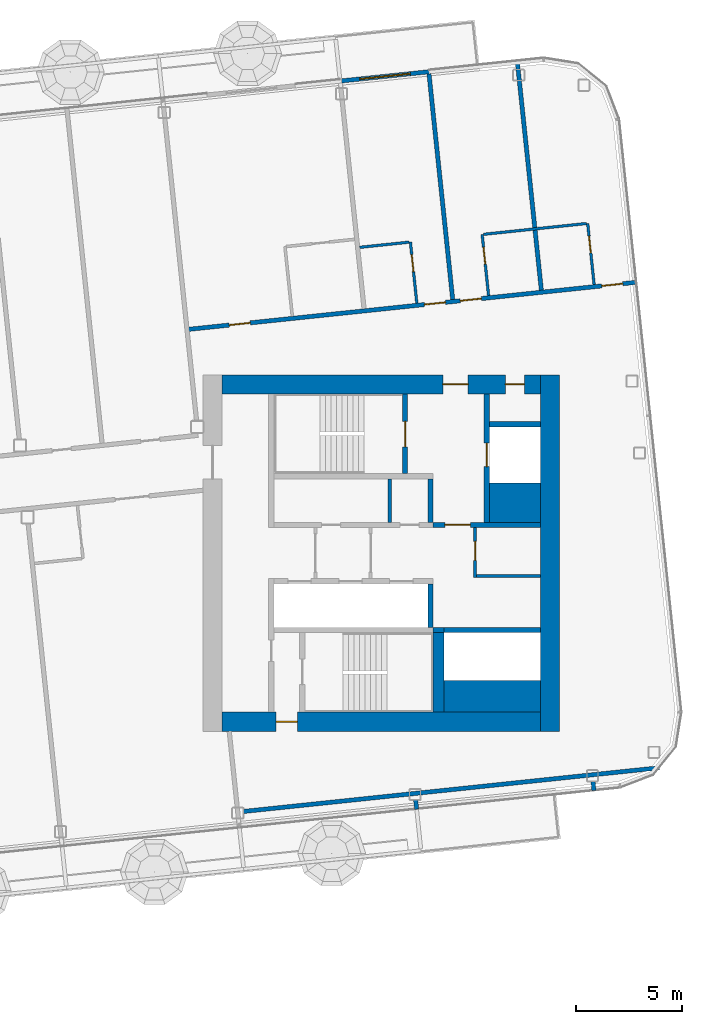
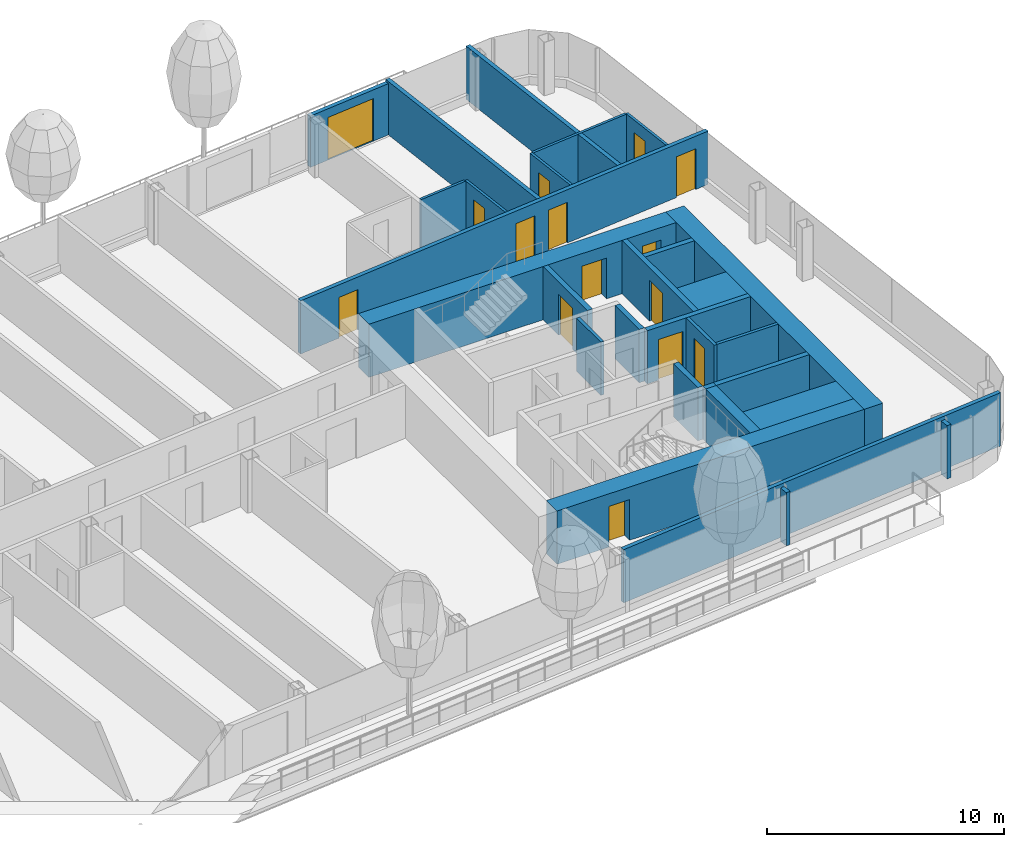
# One storey, part 16 of 29: 29 walls, 15 doors, 15 openings, 1 element without a shape of its own.
"""IFC4 building model written with IfcOpenShell, lengths in metres."""

from ifc_helpers import new_model, si_unit, direction, frame, frame_2d, origin, place, context, subcontext, project, spatial, rectangle, extrude, material, layer, layer_set, type_object, element, fill, aggregate, save


model = new_model("IFC4")

# Units and contexts
model_context = context("Model", 3, precision=1e-05, world=origin(), true_north=direction((0.0, 1.0)))
body_context = subcontext(model_context, "Body", "Model", "MODEL_VIEW")
ifc_project = project(units=[si_unit("LENGTHUNIT", "METRE"), si_unit("AREAUNIT", "SQUARE_METRE"), si_unit("VOLUMEUNIT", "CUBIC_METRE"), si_unit("PLANEANGLEUNIT", "RADIAN"), si_unit("MASSUNIT", "GRAM", prefix="KILO")], contexts=[model_context])

# Site, building, storey
site_placement = place(None, origin())
site = spatial("IfcSite", under=ifc_project, at=site_placement, CompositionType="ELEMENT")
building_placement = place(site_placement, origin())
building = spatial("IfcBuilding", under=site, at=building_placement, Name="Hakoniwa Tower and Hamabe Station Hall", CompositionType="ELEMENT")
storey_placement = place(building_placement, frame((0.0, 0.0, 258.199951171875)))
storey = spatial("IfcBuildingStorey", under=building, at=storey_placement, Name="L73", CompositionType="ELEMENT", Elevation=258.199951171875)

# Walls
ifc_material_1 = material(Name="Gypsum board partition", Category="gypsum")
ifc_layer_1 = layer(ifc_material_1, 0.125)
ifc_layer_set_1 = layer_set([ifc_layer_1], Name="Bathroom Partition 125")
wall_type_1 = type_object("IfcWallType", Name="Bathroom Partition 125", PredefinedType="PARTITIONING", material=ifc_layer_set_1)
wall_1_placement = place(storey_placement, frame((24.18798828125, 14.4052734375, 0.0), z_axis=(0.0, 0.0, 1.0), x_axis=(0.994530605544, 0.104445558238, 0.0)))
element("IfcWall", 1, at=wall_1_placement, inside=storey, type_object=wall_type_1, Name="GW-L73-012", PredefinedType="PARTITIONING", context=body_context, shape_type="SweptSolid", body=[
    extrude(rectangle(XDim=2.33740234375, YDim=0.125, at=frame_2d((1.168701171875, 0.0))), origin(), (0.0, 0.0, 1.0), 2.75),
])
wall_2_placement = place(storey_placement, frame((30.0185546875, 15.01806640625, 0.0), z_axis=(0.0, 0.0, 1.0), x_axis=(0.994522727842, 0.104520542502, 0.0)))
element("IfcWall", 2, at=wall_2_placement, inside=storey, type_object=wall_type_1, Name="GW-L73-013", PredefinedType="PARTITIONING", context=body_context, shape_type="SweptSolid", body=[
    extrude(rectangle(XDim=4.874755859375, YDim=0.125, at=frame_2d((2.4375, 0.0))), origin(), (0.0, 0.0, 1.0), 2.75),
])

# Wall, opening, door
wall_3_placement = place(storey_placement, frame((26.878173828125, 11.77197265625, 0.0), z_axis=(0.0, 0.0, 1.0), x_axis=(-0.104562076147, 0.994518361938, 0.0)))
wall_3 = element("IfcWall", 3, at=wall_3_placement, inside=storey, type_object=wall_type_1, Name="GW-L73-050", PredefinedType="PARTITIONING", context=body_context, shape_type="SweptSolid", body=[
    extrude(rectangle(XDim=2.89990234375, YDim=0.125, at=frame_2d((1.449951171875, 0.0))), origin(), (0.0, 0.0, 1.0), 2.75),
])
opening_1_placement = place(wall_3_placement, frame((1.5, 0.0, 0.0)))
opening_1 = element("IfcOpeningElement", 4, at=opening_1_placement, cuts=wall_3, Name="Opening GD-G5C1-36", PredefinedType="OPENING", context=body_context, shape_type="SweptSolid", body=[
    extrude(rectangle(XDim=0.800048828125, YDim=2.10009765625, at=frame_2d((0.39990234375, 1.050048828125))), frame((0.0, 0.072509765625, 0.0), z_axis=(0.0, -1.0, 0.0), x_axis=(1.0, 0.0, 0.0)), (0.0, 0.0, 1.0), 0.14501953125),
])
ifc_material_2 = material(Name="Timber door leaf", Category="wood")
door_type_1 = type_object("IfcDoorType", Name="Bathroom Door 800", OperationType="SINGLE_SWING_LEFT", PredefinedType="DOOR", material=ifc_material_2)
door_1_placement = place(opening_1_placement, origin())
door_1 = element("IfcDoor", 5, at=door_1_placement, inside=storey, type_object=door_type_1, Name="Door GD-G5C1-36", OperationType="SINGLE_SWING_LEFT", OverallHeight=2.10009765625, OverallWidth=0.800048828125, PredefinedType="DOOR", context=body_context, shape_type="SweptSolid", body=[
    extrude(rectangle(XDim=0.800048828125, YDim=2.10009765625, at=frame_2d((0.39990234375, 1.050048828125))), frame((0.0, 0.02490234375, 0.0), z_axis=(0.0, -1.0, 0.0), x_axis=(1.0, 0.0, 0.0)), (0.0, 0.0, 1.0), 0.050048828125),
])
fill(opening_1, door_1)

wall_4_placement = place(storey_placement, frame((30.259521484375, 12.127197265625, 0.0), z_axis=(0.0, 0.0, 1.0), x_axis=(-0.10455332221, 0.994519282274, 0.0)))
wall_4 = element("IfcWall", 6, at=wall_4_placement, inside=storey, type_object=wall_type_1, Name="GW-L73-052", PredefinedType="PARTITIONING", context=body_context, shape_type="SweptSolid", body=[
    extrude(rectangle(XDim=2.900146484375, YDim=0.125, at=frame_2d((1.4501953125, 0.0))), origin(), (0.0, 0.0, 1.0), 2.75),
])
opening_2_placement = place(wall_4_placement, frame((1.5, 0.0, 0.0)))
opening_2 = element("IfcOpeningElement", 7, at=opening_2_placement, cuts=wall_4, Name="Opening GD-G5C1-37", PredefinedType="OPENING", context=body_context, shape_type="SweptSolid", body=[
    extrude(rectangle(XDim=0.800048828125, YDim=2.10009765625, at=frame_2d((0.39990234375, 1.050048828125))), frame((0.0, 0.072509765625, 0.0), z_axis=(0.0, -1.0, 0.0), x_axis=(1.0, 0.0, 0.0)), (0.0, 0.0, 1.0), 0.14501953125),
])
door_2_placement = place(opening_2_placement, origin())
door_2 = element("IfcDoor", 8, at=door_2_placement, inside=storey, type_object=door_type_1, Name="Door GD-G5C1-37", OperationType="SINGLE_SWING_RIGHT", OverallHeight=2.10009765625, OverallWidth=0.800048828125, PredefinedType="DOOR", context=body_context, shape_type="SweptSolid", body=[
    extrude(rectangle(XDim=0.800048828125, YDim=2.10009765625, at=frame_2d((0.39990234375, 1.050048828125))), frame((0.0, 0.02490234375, 0.0), z_axis=(0.0, -1.0, 0.0), x_axis=(1.0, 0.0, 0.0)), (0.0, 0.0, 1.0), 0.050048828125),
])
fill(opening_2, door_2)

wall_5_placement = place(storey_placement, frame((35.23193359375, 12.64990234375, 0.0), z_axis=(0.0, 0.0, 1.0), x_axis=(-0.104470059912, 0.994528032074, 0.0)))
wall_5 = element("IfcWall", 9, at=wall_5_placement, inside=storey, type_object=wall_type_1, Name="GW-L73-055", PredefinedType="PARTITIONING", context=body_context, shape_type="SweptSolid", body=[
    extrude(rectangle(XDim=2.900146484375, YDim=0.125, at=frame_2d((1.4501953125, 0.0))), origin(), (0.0, 0.0, 1.0), 2.75),
])
opening_3_placement = place(wall_5_placement, frame((1.5, 0.0, 0.0)))
opening_3 = element("IfcOpeningElement", 10, at=opening_3_placement, cuts=wall_5, Name="Opening GD-G5C1-38", PredefinedType="OPENING", context=body_context, shape_type="SweptSolid", body=[
    extrude(rectangle(XDim=0.800048828125, YDim=2.10009765625, at=frame_2d((0.39990234375, 1.050048828125))), frame((0.0, 0.072509765625, 0.0), z_axis=(0.0, -1.0, 0.0), x_axis=(1.0, 0.0, 0.0)), (0.0, 0.0, 1.0), 0.14501953125),
])
door_3_placement = place(opening_3_placement, origin())
door_3 = element("IfcDoor", 11, at=door_3_placement, inside=storey, type_object=door_type_1, Name="Door GD-G5C1-38", OperationType="SINGLE_SWING_LEFT", OverallHeight=2.10009765625, OverallWidth=0.800048828125, PredefinedType="DOOR", context=body_context, shape_type="SweptSolid", body=[
    extrude(rectangle(XDim=0.800048828125, YDim=2.10009765625, at=frame_2d((0.39990234375, 1.050048828125))), frame((0.0, 0.02490234375, 0.0), z_axis=(0.0, -1.0, 0.0), x_axis=(1.0, 0.0, 0.0)), (0.0, 0.0, 1.0), 0.050048828125),
])
fill(opening_3, door_3)

ifc_material_3 = material(Name="Gypsum board partition")
ifc_layer_2 = layer(ifc_material_3, 0.14990234375)
ifc_layer_set_2 = layer_set([ifc_layer_2], Name="CORE PARTITION 150 EI 60")
wall_type_2 = type_object("IfcWallType", Name="CORE PARTITION 150 EI 60", PredefinedType="PARTITIONING", material=ifc_layer_set_2)
wall_6_placement = place(storey_placement, frame((29.625, -1.14990234375, 0.0), z_axis=(0.0, 0.0, 1.0), x_axis=(0.0, 1.0, 0.0)))
wall_6 = element("IfcWall", 12, at=wall_6_placement, inside=storey, type_object=wall_type_2, Name="Core partition PW0 east", PredefinedType="PARTITIONING", context=body_context, shape_type="SweptSolid", body=[
    extrude(rectangle(XDim=2.349853515625, YDim=0.14990234375, at=frame_2d((1.1748046875, 0.0))), origin(), (0.0, 0.0, 1.0), 2.75),
])
opening_4_placement = place(wall_6_placement, frame((0.800048828125, 0.0, 0.0)))
opening_4 = element("IfcOpeningElement", 13, at=opening_4_placement, cuts=wall_6, Name="Opening CD-E-RM1-9", PredefinedType="OPENING", context=body_context, shape_type="SweptSolid", body=[
    extrude(rectangle(XDim=0.89990234375, YDim=2.10009765625, at=frame_2d((0.449951171875, 1.050048828125))), frame((0.0, 0.0849609375, 0.0), z_axis=(0.0, -1.0, 0.0), x_axis=(1.0, 0.0, 0.0)), (0.0, 0.0, 1.0), 0.169921875),
])
ifc_material_4 = material(Name="Steel fire door", Category="steel")
door_type_2 = type_object("IfcDoorType", Name="CORE DOOR 900 FD30", OperationType="NOTDEFINED", PredefinedType="DOOR", material=ifc_material_4)
door_4_placement = place(opening_4_placement, origin())
door_4 = element("IfcDoor", 14, at=door_4_placement, inside=storey, type_object=door_type_2, Name="Store room door", OperationType="SINGLE_SWING_LEFT", OverallHeight=2.10009765625, OverallWidth=0.89990234375, PredefinedType="DOOR", context=body_context, shape_type="SweptSolid", body=[
    extrude(rectangle(XDim=0.89990234375, YDim=2.10009765625, at=frame_2d((0.449951171875, 1.050048828125))), frame((0.0, 0.02490234375, 0.0), z_axis=(0.0, -1.0, 0.0), x_axis=(1.0, 0.0, 0.0)), (0.0, 0.0, 1.0), 0.050048828125),
])
fill(opening_4, door_4)

# Walls
wall_7_placement = place(storey_placement, frame((29.699951171875, -1.074951171875, 0.0), z_axis=(0.0, 0.0, 1.0), x_axis=(1.0, 0.0, 0.0)))
element("IfcWall", 15, at=wall_7_placement, inside=storey, type_object=wall_type_2, Name="Core partition PS east", PredefinedType="PARTITIONING", context=body_context, shape_type="SweptSolid", body=[
    extrude(rectangle(XDim=3.0, YDim=0.14990234375, at=frame_2d((1.5, 0.0))), origin(), (0.0, 0.0, 1.0), 2.75),
])
wall_8_placement = place(storey_placement, frame((25.60009765625, 1.449951171875, 0.0), z_axis=(0.0, 0.0, 1.0), x_axis=(0.0, 1.0, 0.0)))
element("IfcWall", 16, at=wall_8_placement, inside=storey, type_object=wall_type_2, Name="Core partition PFLR0 east", PredefinedType="PARTITIONING", context=body_context, shape_type="SweptSolid", body=[
    extrude(rectangle(XDim=2.050048828125, YDim=0.14990234375, at=frame_2d((1.02490234375, 0.0))), origin(), (0.0, 0.0, 1.0), 2.75),
])
ifc_material_5 = material(Name="Concrete C60", Category="concrete")
ifc_layer_3 = layer(ifc_material_5, 0.89990234375)
ifc_layer_set_3 = layer_set([ifc_layer_3], Name="CORE WALL 900 C60")
wall_type_3 = type_object("IfcWallType", Name="CORE WALL 900 C60", PredefinedType="SHEAR", material=ifc_layer_set_3)
wall_9_placement = place(storey_placement, frame((33.14990234375, -8.39990234375, 0.0), z_axis=(0.0, 0.0, 1.0), x_axis=(0.0, 1.0, 0.0)))
element("IfcWall", 17, at=wall_9_placement, inside=storey, type_object=wall_type_3, Name="Core wall OUTER east", PredefinedType="SHEAR", context=body_context, shape_type="SweptSolid", body=[
    extrude(rectangle(XDim=16.7998046875, YDim=0.89990234375, at=frame_2d((8.39990234375, 0.0))), origin(), (0.0, 0.0, 1.0), 2.75),
])

# Wall, openings, doors
wall_10_placement = place(storey_placement, frame((17.699951171875, 7.949951171875, 0.0), z_axis=(0.0, 0.0, 1.0), x_axis=(1.0, 0.0, 0.0)))
wall_10 = element("IfcWall", 18, at=wall_10_placement, inside=storey, type_object=wall_type_3, Name="Core wall NORTH east", PredefinedType="SHEAR", context=body_context, shape_type="SweptSolid", body=[
    extrude(rectangle(XDim=15.0, YDim=0.89990234375, at=frame_2d((7.5, 0.0))), origin(), (0.0, 0.0, 1.0), 2.75),
])
opening_5_placement = place(wall_10_placement, frame((10.39990234375, 0.0, 0.0)))
opening_5 = element("IfcOpeningElement", 19, at=opening_5_placement, cuts=wall_10, Name="Opening CD-E-FN1-12", PredefinedType="OPENING", context=body_context, shape_type="SweptSolid", body=[
    extrude(rectangle(XDim=1.199951171875, YDim=2.10009765625, at=frame_2d((0.60009765625, 1.050048828125))), frame((0.0, 0.4599609375, 0.0), z_axis=(0.0, -1.0, 0.0), x_axis=(1.0, 0.0, 0.0)), (0.0, 0.0, 1.0), 0.919921875),
])
opening_6_placement = place(wall_10_placement, frame((13.35009765625, 0.0, 0.0)))
opening_6 = element("IfcOpeningElement", 20, at=opening_6_placement, cuts=wall_10, Name="Opening CD-E-FN2-9", PredefinedType="OPENING", context=body_context, shape_type="SweptSolid", body=[
    extrude(rectangle(XDim=0.89990234375, YDim=2.10009765625, at=frame_2d((0.449951171875, 1.050048828125))), frame((0.0, 0.4599609375, 0.0), z_axis=(0.0, -1.0, 0.0), x_axis=(1.0, 0.0, 0.0)), (0.0, 0.0, 1.0), 0.919921875),
])
ifc_material_6 = material(Name="Steel fire door", Category="steel")
door_type_3 = type_object("IfcDoorType", Name="CORE DOOR 1200 FD60", OperationType="DOUBLE_DOOR_SINGLE_SWING", PredefinedType="DOOR", material=ifc_material_6)
door_5_placement = place(opening_5_placement, origin())
door_5 = element("IfcDoor", 21, at=door_5_placement, inside=storey, type_object=door_type_3, Name="Stair vestibule door to the fire-fighting lobby", OperationType="DOUBLE_DOOR_SINGLE_SWING", OverallHeight=2.10009765625, OverallWidth=1.199951171875, PredefinedType="DOOR", context=body_context, shape_type="SweptSolid", body=[
    extrude(rectangle(XDim=1.199951171875, YDim=2.10009765625, at=frame_2d((0.60009765625, 1.050048828125))), frame((0.0, 0.02490234375, 0.0), z_axis=(0.0, -1.0, 0.0), x_axis=(1.0, 0.0, 0.0)), (0.0, 0.0, 1.0), 0.050048828125),
])
fill(opening_5, door_5)
door_6_placement = place(opening_6_placement, origin())
door_6 = element("IfcDoor", 22, at=door_6_placement, inside=storey, type_object=door_type_2, Name="Riser access door", OperationType="SINGLE_SWING_RIGHT", OverallHeight=2.10009765625, OverallWidth=0.89990234375, PredefinedType="DOOR", context=body_context, shape_type="SweptSolid", body=[
    extrude(rectangle(XDim=0.89990234375, YDim=2.10009765625, at=frame_2d((0.449951171875, 1.050048828125))), frame((0.0, 0.02490234375, 0.0), z_axis=(0.0, -1.0, 0.0), x_axis=(1.0, 0.0, 0.0)), (0.0, 0.0, 1.0), 0.050048828125),
])
fill(opening_6, door_6)

# Wall, opening, door
wall_11_placement = place(storey_placement, frame((17.699951171875, -7.949951171875, 0.0), z_axis=(0.0, 0.0, 1.0), x_axis=(1.0, 0.0, 0.0)))
wall_11 = element("IfcWall", 23, at=wall_11_placement, inside=storey, type_object=wall_type_3, Name="Core wall SOUTH east", PredefinedType="SHEAR", context=body_context, shape_type="SweptSolid", body=[
    extrude(rectangle(XDim=15.0, YDim=0.89990234375, at=frame_2d((7.5, 0.0))), origin(), (0.0, 0.0, 1.0), 2.75),
])
opening_7_placement = place(wall_11_placement, frame((2.550048828125, 0.0, 0.0)))
opening_7 = element("IfcOpeningElement", 24, at=opening_7_placement, cuts=wall_11, Name="Opening CD-E-FS3-10", PredefinedType="OPENING", context=body_context, shape_type="SweptSolid", body=[
    extrude(rectangle(XDim=1.0, YDim=2.10009765625, at=frame_2d((0.5, 1.050048828125))), frame((0.0, 0.4599609375, 0.0), z_axis=(0.0, -1.0, 0.0), x_axis=(1.0, 0.0, 0.0)), (0.0, 0.0, 1.0), 0.919921875),
])
ifc_material_7 = material(Name="Steel fire door", Category="steel")
door_type_4 = type_object("IfcDoorType", Name="CORE DOOR 1000 FD60", OperationType="NOTDEFINED", PredefinedType="DOOR", material=ifc_material_7)
door_7_placement = place(opening_7_placement, origin())
door_7 = element("IfcDoor", 25, at=door_7_placement, inside=storey, type_object=door_type_4, Name="Stair vestibule door", OperationType="SINGLE_SWING_LEFT", OverallHeight=2.10009765625, OverallWidth=1.0, PredefinedType="DOOR", context=body_context, shape_type="SweptSolid", body=[
    extrude(rectangle(XDim=1.0, YDim=2.10009765625, at=frame_2d((0.5, 1.050048828125))), frame((0.0, 0.02490234375, 0.0), z_axis=(0.0, -1.0, 0.0), x_axis=(1.0, 0.0, 0.0)), (0.0, 0.0, 1.0), 0.050048828125),
])
fill(opening_7, door_7)

# Walls
ifc_material_8 = material(Name="Concrete C60", Category="concrete")
ifc_layer_4 = layer(ifc_material_8, 1.5)
ifc_layer_set_4 = layer_set([ifc_layer_4], Name="CORE WEB WALL 1500 C60")
wall_type_4 = type_object("IfcWallType", Name="CORE WEB WALL 1500 C60", PredefinedType="SHEAR", material=ifc_layer_set_4)
wall_12_placement = place(storey_placement, frame((28.14990234375, -6.75, 0.0), z_axis=(0.0, 0.0, 1.0), x_axis=(1.0, 0.0, 0.0)))
element("IfcWall", 26, at=wall_12_placement, inside=storey, type_object=wall_type_4, Name="Core wall SER east", PredefinedType="SHEAR", context=body_context, shape_type="SweptSolid", body=[
    extrude(rectangle(XDim=4.550048828125, YDim=1.5, at=frame_2d((2.27490234375, 0.0))), origin(), (0.0, 0.0, 1.0), 2.75),
])
ifc_material_9 = material(Name="Concrete C60", Category="concrete")
ifc_layer_5 = layer(ifc_material_9, 1.85009765625)
ifc_layer_set_5 = layer_set([ifc_layer_5], Name="CORE WEB WALL 1850 C60")
wall_type_5 = type_object("IfcWallType", Name="CORE WEB WALL 1850 C60", PredefinedType="SHEAR", material=ifc_layer_set_5)
wall_13_placement = place(storey_placement, frame((30.300048828125, 2.375, 0.0), z_axis=(0.0, 0.0, 1.0), x_axis=(1.0, 0.0, 0.0)))
element("IfcWall", 27, at=wall_13_placement, inside=storey, type_object=wall_type_5, Name="Core wall CA east", PredefinedType="SHEAR", context=body_context, shape_type="SweptSolid", body=[
    extrude(rectangle(XDim=2.39990234375, YDim=1.85009765625, at=frame_2d((1.199951171875, 0.0))), origin(), (0.0, 0.0, 1.0), 2.75),
])
ifc_material_10 = material(Name="Concrete C60", Category="concrete")
ifc_layer_6 = layer(ifc_material_10, 0.25)
ifc_layer_set_6 = layer_set([ifc_layer_6], Name="CORE WEB WALL 250 C60")
wall_type_6 = type_object("IfcWallType", Name="CORE WEB WALL 250 C60", PredefinedType="SHEAR", material=ifc_layer_set_6)
wall_14_placement = place(storey_placement, frame((27.52490234375, 1.449951171875, 0.0), z_axis=(0.0, 0.0, 1.0), x_axis=(0.0, 1.0, 0.0)))
element("IfcWall", 28, at=wall_14_placement, inside=storey, type_object=wall_type_6, Name="Core wall NE east", PredefinedType="SHEAR", context=body_context, shape_type="SweptSolid", body=[
    extrude(rectangle(XDim=2.050048828125, YDim=0.25, at=frame_2d((1.02490234375, 0.0))), origin(), (0.0, 0.0, 1.0), 2.75),
])

# Wall, opening, door
wall_15_placement = place(storey_placement, frame((26.324951171875, 3.75, 0.0), z_axis=(0.0, 0.0, 1.0), x_axis=(0.0, 1.0, 0.0)))
wall_15 = element("IfcWall", 29, at=wall_15_placement, inside=storey, type_object=wall_type_6, Name="Core wall NSE east", PredefinedType="SHEAR", context=body_context, shape_type="SweptSolid", body=[
    extrude(rectangle(XDim=3.75, YDim=0.25, at=frame_2d((1.875, 0.0))), origin(), (0.0, 0.0, 1.0), 2.75),
])
opening_8_placement = place(wall_15_placement, frame((1.25, 0.0, 0.0)))
opening_8 = element("IfcOpeningElement", 30, at=opening_8_placement, cuts=wall_15, Name="Opening CD-E-SN-12", PredefinedType="OPENING", context=body_context, shape_type="SweptSolid", body=[
    extrude(rectangle(XDim=1.199951171875, YDim=2.10009765625, at=frame_2d((0.60009765625, 1.050048828125))), frame((0.0, 0.135009765625, 0.0), z_axis=(0.0, -1.0, 0.0), x_axis=(1.0, 0.0, 0.0)), (0.0, 0.0, 1.0), 0.27001953125),
])
door_8_placement = place(opening_8_placement, origin())
door_8 = element("IfcDoor", 31, at=door_8_placement, inside=storey, type_object=door_type_3, Name="Escape stair door", OperationType="DOUBLE_DOOR_SINGLE_SWING", OverallHeight=2.10009765625, OverallWidth=1.199951171875, PredefinedType="DOOR", context=body_context, shape_type="SweptSolid", body=[
    extrude(rectangle(XDim=1.199951171875, YDim=2.10009765625, at=frame_2d((0.60009765625, 1.050048828125))), frame((0.0, 0.02490234375, 0.0), z_axis=(0.0, -1.0, 0.0), x_axis=(1.0, 0.0, 0.0)), (0.0, 0.0, 1.0), 0.050048828125),
])
fill(opening_8, door_8)

wall_16_placement = place(storey_placement, frame((27.64990234375, 1.324951171875, 0.0), z_axis=(0.0, 0.0, 1.0), x_axis=(1.0, 0.0, 0.0)))
wall_16 = element("IfcWall", 32, at=wall_16_placement, inside=storey, type_object=wall_type_6, Name="Core wall ELN east", PredefinedType="SHEAR", context=body_context, shape_type="SweptSolid", body=[
    extrude(rectangle(XDim=5.050048828125, YDim=0.25, at=frame_2d((2.52490234375, 0.0))), origin(), (0.0, 0.0, 1.0), 2.75),
])
opening_9_placement = place(wall_16_placement, frame((0.550048828125, 0.0, 0.0)))
opening_9 = element("IfcOpeningElement", 33, at=opening_9_placement, cuts=wall_16, Name="Opening CD-E-FL-12", PredefinedType="OPENING", context=body_context, shape_type="SweptSolid", body=[
    extrude(rectangle(XDim=1.199951171875, YDim=2.10009765625, at=frame_2d((0.60009765625, 1.050048828125))), frame((0.0, 0.135009765625, 0.0), z_axis=(0.0, -1.0, 0.0), x_axis=(1.0, 0.0, 0.0)), (0.0, 0.0, 1.0), 0.27001953125),
])
door_9_placement = place(opening_9_placement, origin())
door_9 = element("IfcDoor", 34, at=door_9_placement, inside=storey, type_object=door_type_3, Name="Stair vestibule door to the fire-fighting lobby", OperationType="DOUBLE_DOOR_SINGLE_SWING", OverallHeight=2.10009765625, OverallWidth=1.199951171875, PredefinedType="DOOR", context=body_context, shape_type="SweptSolid", body=[
    extrude(rectangle(XDim=1.199951171875, YDim=2.10009765625, at=frame_2d((0.60009765625, 1.050048828125))), frame((0.0, 0.02490234375, 0.0), z_axis=(0.0, -1.0, 0.0), x_axis=(1.0, 0.0, 0.0)), (0.0, 0.0, 1.0), 0.050048828125),
])
fill(opening_9, door_9)

wall_17_placement = place(storey_placement, frame((30.175048828125, 1.449951171875, 0.0), z_axis=(0.0, 0.0, 1.0), x_axis=(0.0, 1.0, 0.0)))
wall_17 = element("IfcWall", 35, at=wall_17_placement, inside=storey, type_object=wall_type_6, Name="Core wall FFF east", PredefinedType="SHEAR", context=body_context, shape_type="SweptSolid", body=[
    extrude(rectangle(XDim=6.050048828125, YDim=0.25, at=frame_2d((3.02490234375, 0.0))), origin(), (0.0, 0.0, 1.0), 2.75),
])
opening_10_placement = place(wall_17_placement, frame((2.625, 0.0, 0.0)))
opening_10 = element("IfcOpeningElement", 36, at=opening_10_placement, cuts=wall_17, Name="Opening LD-FF2", PredefinedType="OPENING", context=body_context, shape_type="SweptSolid", body=[
    extrude(rectangle(XDim=1.10009765625, YDim=2.10009765625, at=frame_2d((0.550048828125, 1.050048828125))), frame((0.0, 0.135009765625, 0.0), z_axis=(0.0, -1.0, 0.0), x_axis=(1.0, 0.0, 0.0)), (0.0, 0.0, 1.0), 0.27001953125),
])
ifc_material_11 = material(Name="Stainless steel SUS304", Category="steel")
door_type_5 = type_object("IfcDoorType", Name="LIFT LANDING DOOR 1100 FD60", OperationType="DOUBLE_DOOR_SLIDING", PredefinedType="DOOR", material=ifc_material_11)
door_10_placement = place(opening_10_placement, origin())
door_10 = element("IfcDoor", 37, at=door_10_placement, inside=storey, type_object=door_type_5, Name="Lift landing door FF2 L73", OperationType="DOUBLE_DOOR_SLIDING", OverallHeight=2.10009765625, OverallWidth=1.10009765625, PredefinedType="DOOR", context=body_context, shape_type="SweptSolid", body=[
    extrude(rectangle(XDim=1.10009765625, YDim=2.10009765625, at=frame_2d((0.550048828125, 1.050048828125))), frame((0.0, 0.02490234375, 0.0), z_axis=(0.0, -1.0, 0.0), x_axis=(1.0, 0.0, 0.0)), (0.0, 0.0, 1.0), 0.050048828125),
])
fill(opening_10, door_10)

# Walls
wall_18_placement = place(storey_placement, frame((30.300048828125, 6.074951171875, 0.0), z_axis=(0.0, 0.0, 1.0), x_axis=(1.0, 0.0, 0.0)))
element("IfcWall", 38, at=wall_18_placement, inside=storey, type_object=wall_type_6, Name="Core wall C2 east", PredefinedType="SHEAR", context=body_context, shape_type="SweptSolid", body=[
    extrude(rectangle(XDim=2.39990234375, YDim=0.25, at=frame_2d((1.199951171875, 0.0))), origin(), (0.0, 0.0, 1.0), 2.75),
])
wall_19_placement = place(storey_placement, frame((27.52490234375, -3.5, 0.0), z_axis=(0.0, 0.0, 1.0), x_axis=(0.0, 1.0, 0.0)))
element("IfcWall", 39, at=wall_19_placement, inside=storey, type_object=wall_type_6, Name="Core wall SE east", PredefinedType="SHEAR", context=body_context, shape_type="SweptSolid", body=[
    extrude(rectangle(XDim=2.050048828125, YDim=0.25, at=frame_2d((1.02490234375, 0.0))), origin(), (0.0, 0.0, 1.0), 2.75),
])
wall_20_placement = place(storey_placement, frame((28.14990234375, -3.625, 0.0), z_axis=(0.0, 0.0, 1.0), x_axis=(1.0, 0.0, 0.0)))
element("IfcWall", 40, at=wall_20_placement, inside=storey, type_object=wall_type_6, Name="Core wall SEF east", PredefinedType="SHEAR", context=body_context, shape_type="SweptSolid", body=[
    extrude(rectangle(XDim=4.550048828125, YDim=0.25, at=frame_2d((2.27490234375, 0.0))), origin(), (0.0, 0.0, 1.0), 2.75),
])
wall_21_placement = place(storey_placement, frame((27.64990234375, -3.625, 0.0), z_axis=(0.0, 0.0, 1.0), x_axis=(1.0, 0.0, 0.0)))
element("IfcWall", 41, at=wall_21_placement, inside=storey, type_object=wall_type_6, Name="Core wall SRK east", PredefinedType="SHEAR", context=body_context, shape_type="SweptSolid", body=[
    extrude(rectangle(XDim=0.5, YDim=0.25, at=frame_2d((0.25, 0.0))), origin(), (0.0, 0.0, 1.0), 2.75),
])
ifc_material_12 = material(Name="Concrete C60", Category="concrete")
ifc_layer_7 = layer(ifc_material_12, 0.5)
ifc_layer_set_7 = layer_set([ifc_layer_7], Name="CORE WEB WALL 500 C60")
wall_type_7 = type_object("IfcWallType", Name="CORE WEB WALL 500 C60", PredefinedType="SHEAR", material=ifc_layer_set_7)
wall_22_placement = place(storey_placement, frame((27.89990234375, -7.5, 0.0), z_axis=(0.0, 0.0, 1.0), x_axis=(0.0, 1.0, 0.0)))
element("IfcWall", 42, at=wall_22_placement, inside=storey, type_object=wall_type_7, Name="Core wall SSE east", PredefinedType="SHEAR", context=body_context, shape_type="SweptSolid", body=[
    extrude(rectangle(XDim=3.75, YDim=0.5, at=frame_2d((1.875, 0.0))), origin(), (0.0, 0.0, 1.0), 2.75),
])
ifc_material_13 = material(Name="Fire-rated gypsum board partition", Category="gypsum")
ifc_layer_8 = layer(ifc_material_13, 0.199951171875)
ifc_layer_set_8 = layer_set([ifc_layer_8], Name="Corridor Wall 200")
wall_type_8 = type_object("IfcWallType", Name="Corridor Wall 200", PredefinedType="PARTITIONING", material=ifc_layer_set_8)
wall_23_placement = place(storey_placement, frame((18.708251953125, -12.17724609375, 0.0), z_axis=(0.0, 0.0, 1.0), x_axis=(0.994521604238, 0.104531233147, 0.0)))
element("IfcWall", 43, at=wall_23_placement, inside=storey, type_object=wall_type_8, Name="GW-L73-001", PredefinedType="PARTITIONING", context=body_context, shape_type="SweptSolid", body=[
    extrude(rectangle(XDim=19.6982421875, YDim=0.199951171875, at=frame_2d((9.84912109375, 0.0))), origin(), (0.0, 0.0, 1.0), 2.75),
])

# Wall, openings, doors
wall_24_placement = place(storey_placement, frame((16.04833984375, 10.533203125, 0.0), z_axis=(0.0, 0.0, 1.0), x_axis=(0.994522460242, 0.104523088709, 0.0)))
wall_24 = element("IfcWall", 44, at=wall_24_placement, inside=storey, type_object=wall_type_8, Name="GW-L73-011", PredefinedType="PARTITIONING", context=body_context, shape_type="SweptSolid", body=[
    extrude(rectangle(XDim=21.2998046875, YDim=0.199951171875, at=frame_2d((10.64990234375, 0.0))), origin(), (0.0, 0.0, 1.0), 2.75),
])
opening_11_placement = place(wall_24_placement, frame((2.0, 0.0, 0.0)))
opening_11 = element("IfcOpeningElement", 45, at=opening_11_placement, cuts=wall_24, Name="Opening GD-G5C1-20", PredefinedType="OPENING", context=body_context, shape_type="SweptSolid", body=[
    extrude(rectangle(XDim=1.0, YDim=2.10009765625, at=frame_2d((0.5, 1.050048828125))), frame((0.0, 0.10986328125, 0.0), z_axis=(0.0, -1.0, 0.0), x_axis=(1.0, 0.0, 0.0)), (0.0, 0.0, 1.0), 0.219970703125),
])
opening_12_placement = place(wall_24_placement, frame((11.25, 0.0, 0.0)))
opening_12 = element("IfcOpeningElement", 46, at=opening_12_placement, cuts=wall_24, Name="Opening GD-G5C1-21", PredefinedType="OPENING", context=body_context, shape_type="SweptSolid", body=[
    extrude(rectangle(XDim=1.0, YDim=2.10009765625, at=frame_2d((0.5, 1.050048828125))), frame((0.0, 0.10986328125, 0.0), z_axis=(0.0, -1.0, 0.0), x_axis=(1.0, 0.0, 0.0)), (0.0, 0.0, 1.0), 0.219970703125),
])
opening_13_placement = place(wall_24_placement, frame((12.949951171875, 0.0, 0.0)))
opening_13 = element("IfcOpeningElement", 47, at=opening_13_placement, cuts=wall_24, Name="Opening GD-G5C1-22", PredefinedType="OPENING", context=body_context, shape_type="SweptSolid", body=[
    extrude(rectangle(XDim=1.0, YDim=2.10009765625, at=frame_2d((0.5, 1.050048828125))), frame((0.0, 0.10986328125, 0.0), z_axis=(0.0, -1.0, 0.0), x_axis=(1.0, 0.0, 0.0)), (0.0, 0.0, 1.0), 0.219970703125),
])
opening_14_placement = place(wall_24_placement, frame((19.64990234375, 0.0, 0.0)))
opening_14 = element("IfcOpeningElement", 48, at=opening_14_placement, cuts=wall_24, Name="Opening GD-G5C1-23", PredefinedType="OPENING", context=body_context, shape_type="SweptSolid", body=[
    extrude(rectangle(XDim=1.0, YDim=2.10009765625, at=frame_2d((0.5, 1.050048828125))), frame((0.0, 0.10986328125, 0.0), z_axis=(0.0, -1.0, 0.0), x_axis=(1.0, 0.0, 0.0)), (0.0, 0.0, 1.0), 0.219970703125),
])
ifc_material_14 = material(Name="Timber door leaf", Category="wood")
door_type_6 = type_object("IfcDoorType", Name="Guest Entrance Door 1000", OperationType="SINGLE_SWING_LEFT", PredefinedType="DOOR", material=ifc_material_14)
door_11_placement = place(opening_11_placement, origin())
door_11 = element("IfcDoor", 49, at=door_11_placement, inside=storey, type_object=door_type_6, Name="Door GD-G5C1-20", OperationType="SINGLE_SWING_RIGHT", OverallHeight=2.10009765625, OverallWidth=1.0, PredefinedType="DOOR", context=body_context, shape_type="SweptSolid", body=[
    extrude(rectangle(XDim=1.0, YDim=2.10009765625, at=frame_2d((0.5, 1.050048828125))), frame((0.0, 0.02490234375, 0.0), z_axis=(0.0, -1.0, 0.0), x_axis=(1.0, 0.0, 0.0)), (0.0, 0.0, 1.0), 0.050048828125),
])
fill(opening_11, door_11)
door_12_placement = place(opening_12_placement, origin())
door_12 = element("IfcDoor", 50, at=door_12_placement, inside=storey, type_object=door_type_6, Name="Door GD-G5C1-21", OperationType="SINGLE_SWING_LEFT", OverallHeight=2.10009765625, OverallWidth=1.0, PredefinedType="DOOR", context=body_context, shape_type="SweptSolid", body=[
    extrude(rectangle(XDim=1.0, YDim=2.10009765625, at=frame_2d((0.5, 1.050048828125))), frame((0.0, 0.02490234375, 0.0), z_axis=(0.0, -1.0, 0.0), x_axis=(1.0, 0.0, 0.0)), (0.0, 0.0, 1.0), 0.050048828125),
])
fill(opening_12, door_12)
door_13_placement = place(opening_13_placement, origin())
door_13 = element("IfcDoor", 51, at=door_13_placement, inside=storey, type_object=door_type_6, Name="Door GD-G5C1-22", OperationType="SINGLE_SWING_RIGHT", OverallHeight=2.10009765625, OverallWidth=1.0, PredefinedType="DOOR", context=body_context, shape_type="SweptSolid", body=[
    extrude(rectangle(XDim=1.0, YDim=2.10009765625, at=frame_2d((0.5, 1.050048828125))), frame((0.0, 0.02490234375, 0.0), z_axis=(0.0, -1.0, 0.0), x_axis=(1.0, 0.0, 0.0)), (0.0, 0.0, 1.0), 0.050048828125),
])
fill(opening_13, door_13)
door_14_placement = place(opening_14_placement, origin())
door_14 = element("IfcDoor", 52, at=door_14_placement, inside=storey, type_object=door_type_6, Name="Door GD-G5C1-23", OperationType="SINGLE_SWING_RIGHT", OverallHeight=2.10009765625, OverallWidth=1.0, PredefinedType="DOOR", context=body_context, shape_type="SweptSolid", body=[
    extrude(rectangle(XDim=1.0, YDim=2.10009765625, at=frame_2d((0.5, 1.050048828125))), frame((0.0, 0.02490234375, 0.0), z_axis=(0.0, -1.0, 0.0), x_axis=(1.0, 0.0, 0.0)), (0.0, 0.0, 1.0), 0.050048828125),
])
fill(opening_14, door_14)

# Curtain wall, wall, opening, door
ifc_material_15 = material(Name="Dark low-e laminated glass", Category="glass")
ifc_layer_9 = layer(ifc_material_15, 0.199951171875)
ifc_layer_set_9 = layer_set([ifc_layer_9], Name="CW-1 UNITISED GUEST")
curtain_wall_type = type_object("IfcCurtainWallType", Name="CW-1 UNITISED GUEST", PredefinedType="NOTDEFINED", material=ifc_layer_set_9)
curtain_wall_placement = place(storey_placement, origin())
curtain_wall = element("IfcCurtainWall", 53, at=curtain_wall_placement, inside=storey, type_object=curtain_wall_type, Name="CW-1 curtain wall", PredefinedType="NOTDEFINED")
ifc_material_16 = material(Name="Dark glass-faced aluminium panel", Category="aluminium")
ifc_layer_10 = layer(ifc_material_16, 0.199951171875)
ifc_layer_set_10 = layer_set([ifc_layer_10], Name="DOOR BAY WALL")
wall_type_9 = type_object("IfcWallType", Name="DOOR BAY WALL", PredefinedType="NOTDEFINED", material=ifc_layer_set_10)
wall_25_placement = place(storey_placement, frame((27.480712890625, 22.68310546875, 0.0), z_axis=(0.0, 0.0, 1.0), x_axis=(-0.994520342386, -0.104543237853, 0.0)))
wall_25 = element("IfcWall", 54, at=wall_25_placement, type_object=wall_type_9, Name="Door bay wall", PredefinedType="NOTDEFINED", context=body_context, shape_type="SweptSolid", body=[
    extrude(rectangle(XDim=4.219970703125, YDim=0.199951171875, at=frame_2d((2.10986328125, 0.0))), origin(), (0.0, 0.0, 1.0), 2.650146484375),
])
opening_15_placement = place(wall_25_placement, frame((0.909912109375, 0.0, 0.0)))
opening_15 = element("IfcOpeningElement", 55, at=opening_15_placement, cuts=wall_25, Name="Opening BD-N03-6", PredefinedType="OPENING", context=body_context, shape_type="SweptSolid", body=[
    extrude(rectangle(XDim=2.39990234375, YDim=2.199951171875, at=frame_2d((1.199951171875, 1.10009765625))), frame((0.0, 0.10986328125, 0.0), z_axis=(0.0, -1.0, 0.0), x_axis=(1.0, 0.0, 0.0)), (0.0, 0.0, 1.0), 0.219970703125),
])
ifc_material_17 = material(Name="Dark low-e laminated glass", Category="glass")
door_type_7 = type_object("IfcDoorType", Name="BALCONY SLIDING DOOR 2400X2200", OperationType="SLIDING_TO_LEFT", PredefinedType="DOOR", material=ifc_material_17)
door_15_placement = place(opening_15_placement, frame((2.39990234375, 0.0, 0.0), z_axis=(0.0, 0.0, 1.0), x_axis=(-1.0, 0.0, 0.0)))
door_15 = element("IfcDoor", 56, at=door_15_placement, inside=storey, type_object=door_type_7, Name="Balcony sliding door", OperationType="SLIDING_TO_LEFT", OverallHeight=2.199951171875, OverallWidth=2.39990234375, PredefinedType="DOOR", context=body_context, shape_type="SweptSolid", body=[
    extrude(rectangle(XDim=2.39990234375, YDim=2.199951171875, at=frame_2d((1.199951171875, 1.10009765625))), frame((0.0, 0.02490234375, 0.0), z_axis=(0.0, -1.0, 0.0), x_axis=(1.0, 0.0, 0.0)), (0.0, 0.0, 1.0), 0.050048828125),
])
fill(opening_15, door_15)
aggregate(curtain_wall, [wall_25])

# Walls
ifc_material_18 = material(Name="Fire-rated gypsum board partition", Category="gypsum")
ifc_layer_11 = layer(ifc_material_18, 0.199951171875)
ifc_layer_set_11 = layer_set([ifc_layer_11], Name="Party Wall 200")
wall_type_10 = type_object("IfcWallType", Name="Party Wall 200", PredefinedType="PARTITIONING", material=ifc_layer_set_11)
wall_26_placement = place(storey_placement, frame((26.870361328125, -12.071044921875, 0.0), z_axis=(0.0, 0.0, 1.0), x_axis=(-0.104743412259, 0.994499279833, 0.0)))
element("IfcWall", 57, at=wall_26_placement, inside=storey, type_object=wall_type_10, Name="GW-L73-048", PredefinedType="PARTITIONING", context=body_context, shape_type="SweptSolid", body=[
    extrude(rectangle(XDim=0.43359375, YDim=0.199951171875, at=frame_2d((0.216796875, 0.0))), origin(), (0.0, 0.0, 1.0), 2.75),
])
wall_27_placement = place(storey_placement, frame((28.56884765625, 11.94970703125, 0.0), z_axis=(0.0, 0.0, 1.0), x_axis=(-0.104533048416, 0.994521413439, 0.0)))
element("IfcWall", 58, at=wall_27_placement, inside=storey, type_object=wall_type_10, Name="GW-L73-051", PredefinedType="PARTITIONING", context=body_context, shape_type="SweptSolid", body=[
    extrude(rectangle(XDim=10.88818359375, YDim=0.199951171875, at=frame_2d((5.444091796875, 0.0))), origin(), (0.0, 0.0, 1.0), 2.75),
])
wall_28_placement = place(storey_placement, frame((35.224365234375, -11.193115234375, 0.0), z_axis=(0.0, 0.0, 1.0), x_axis=(-0.104743412259, 0.994499279833, 0.0)))
element("IfcWall", 59, at=wall_28_placement, inside=storey, type_object=wall_type_10, Name="GW-L73-053", PredefinedType="PARTITIONING", context=body_context, shape_type="SweptSolid", body=[
    extrude(rectangle(XDim=0.43359375, YDim=0.199951171875, at=frame_2d((0.216796875, 0.0))), origin(), (0.0, 0.0, 1.0), 2.75),
])
wall_29_placement = place(storey_placement, frame((32.745849609375, 12.388671875, 0.0), z_axis=(0.0, 0.0, 1.0), x_axis=(-0.104533048416, 0.994521413439, 0.0)))
element("IfcWall", 60, at=wall_29_placement, inside=storey, type_object=wall_type_10, Name="GW-L73-054", PredefinedType="PARTITIONING", context=body_context, shape_type="SweptSolid", body=[
    extrude(rectangle(XDim=10.88818359375, YDim=0.199951171875, at=frame_2d((5.444091796875, 0.0))), origin(), (0.0, 0.0, 1.0), 2.75),
])

save(model, "model.ifc")
